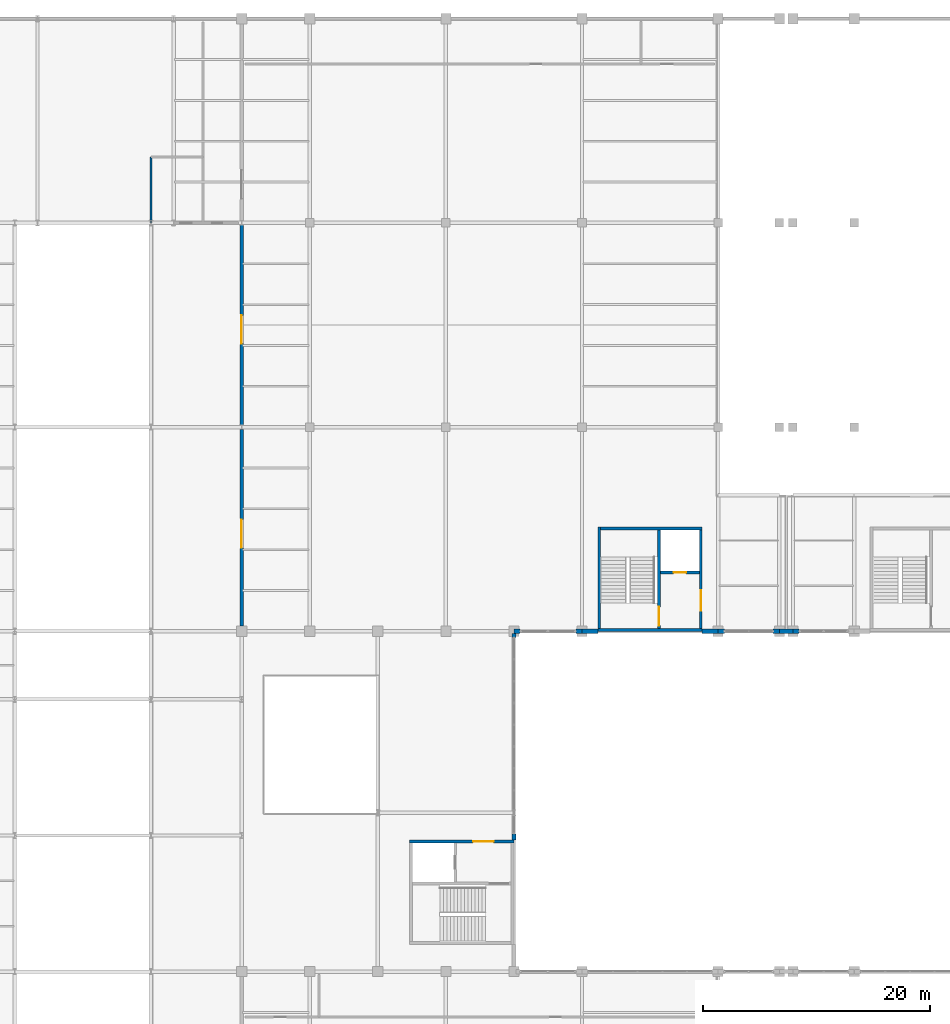
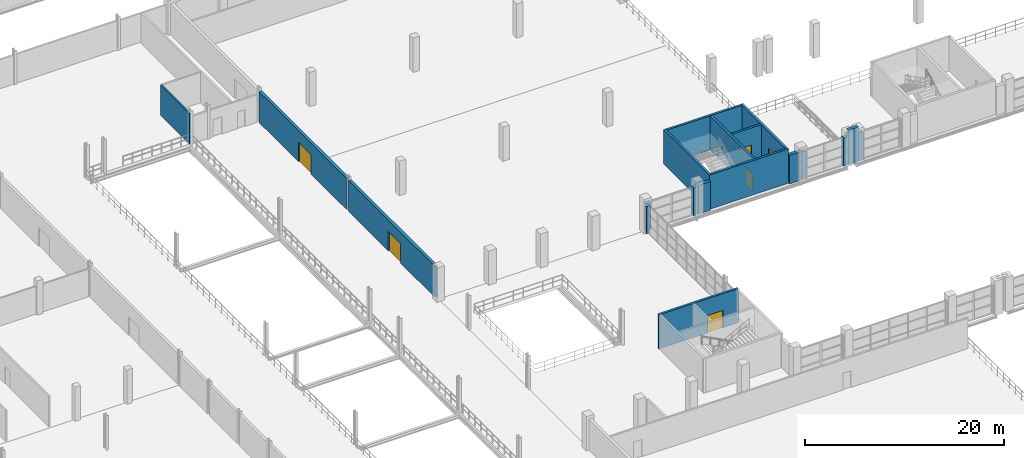
# One storey, part 143 of 158: 20 walls, 6 doors, 6 openings.
"""IFC4 building model written with IfcOpenShell, lengths in metres."""

from ifc_helpers import new_model, si_unit, direction, frame, frame_2d, origin, place, context, subcontext, project, spatial, rectangle, extrude, material, layer, layer_set, type_object, element, fill, save


model = new_model("IFC4")

# Units and contexts
model_context = context("Model", 3, precision=1e-05, world=origin(), true_north=direction((0.0, 1.0)))
body_context = subcontext(model_context, "Body", "Model", "MODEL_VIEW")
ifc_project = project(units=[si_unit("LENGTHUNIT", "METRE"), si_unit("AREAUNIT", "SQUARE_METRE"), si_unit("VOLUMEUNIT", "CUBIC_METRE"), si_unit("PLANEANGLEUNIT", "RADIAN"), si_unit("MASSUNIT", "GRAM", prefix="KILO")], contexts=[model_context])

# Site, building, storey
site_placement = place(None, origin())
site = spatial("IfcSite", under=ifc_project, at=site_placement, CompositionType="ELEMENT")
building_placement = place(site_placement, origin())
building = spatial("IfcBuilding", under=site, at=building_placement, Name="Zilviju Railside Exhibition Hall", CompositionType="ELEMENT")
storey_placement = place(building_placement, frame((0.0, 0.0, 4.199951171875)))
storey = spatial("IfcBuildingStorey", under=building, at=storey_placement, Name="L02", CompositionType="ELEMENT", Elevation=4.199951171875)

# Wall, opening, door
ifc_material_1 = material(Name="Concrete C40/50", Category="concrete")
ifc_layer_1 = layer(ifc_material_1, 0.320068359375)
ifc_layer_set_1 = layer_set([ifc_layer_1], Name="Concrete C40/50")
wall_type_1 = type_object("IfcWallType", Name="WL-COMP-320", PredefinedType="SHEAR", material=ifc_layer_set_1)
wall_1_placement = place(storey_placement, frame((78.0, 84.451904296875, 0.0), z_axis=(0.0, 0.0, 1.0), x_axis=(0.0, 1.0, 0.0)))
wall_1 = element("IfcWall", 1, at=wall_1_placement, inside=storey, type_object=wall_type_1, Name="REI 180 North Hall Compartment Wall L02", PredefinedType="SHEAR", context=body_context, shape_type="SweptSolid", body=[
    extrude(rectangle(XDim=17.34619140625, YDim=0.320068359375, at=frame_2d((8.673095703125, 0.0))), origin(), (0.0, 0.0, 1.0), 3.800048828125),
])
opening_1_placement = place(wall_1_placement, frame((6.89794921875, 0.0, 0.0)))
opening_1 = element("IfcOpeningElement", 2, at=opening_1_placement, cuts=wall_1, Name="Opening FD-04", PredefinedType="OPENING", context=body_context, shape_type="SweptSolid", body=[
    extrude(rectangle(XDim=2.5, YDim=2.39990234375, at=frame_2d((1.25, 1.199951171875))), frame((0.0, 0.169921875, 0.0), z_axis=(0.0, -1.0, 0.0), x_axis=(1.0, 0.0, 0.0)), (0.0, 0.0, 1.0), 0.340087890625),
])
ifc_material_2 = material(Name="Exhibition hall fire compartment double door EI 60", Category="wood")
door_type_1 = type_object("IfcDoorType", Name="DR-COMP-250x240", OperationType="NOTDEFINED", PredefinedType="DOOR", material=ifc_material_2)
door_1_placement = place(opening_1_placement, origin())
door_1 = element("IfcDoor", 3, at=door_1_placement, inside=storey, type_object=door_type_1, Name="North Hall Entry Fire Door L02", OperationType="DOUBLE_DOOR_SINGLE_SWING", OverallHeight=2.39990234375, OverallWidth=2.5, PredefinedType="DOOR", context=body_context, shape_type="SweptSolid", body=[
    extrude(rectangle(XDim=2.5, YDim=2.39990234375, at=frame_2d((1.25, 1.199951171875))), frame((0.0, 0.02490234375, 0.0), z_axis=(0.0, -1.0, 0.0), x_axis=(1.0, 0.0, 0.0)), (0.0, 0.0, 1.0), 0.050048828125),
])
fill(opening_1, door_1)

wall_2_placement = place(storey_placement, frame((78.0, 102.201904296875, 0.0), z_axis=(0.0, 0.0, 1.0), x_axis=(0.0, 1.0, 0.0)))
wall_2 = element("IfcWall", 4, at=wall_2_placement, inside=storey, type_object=wall_type_1, Name="REI 180 North Hall Compartment Wall L02", PredefinedType="SHEAR", context=body_context, shape_type="SweptSolid", body=[
    extrude(rectangle(XDim=17.59619140625, YDim=0.320068359375, at=frame_2d((8.798095703125, 0.0))), origin(), (0.0, 0.0, 1.0), 3.800048828125),
])
opening_2_placement = place(wall_2_placement, frame((7.14794921875, 0.0, 0.0)))
opening_2 = element("IfcOpeningElement", 5, at=opening_2_placement, cuts=wall_2, Name="Opening FD-04", PredefinedType="OPENING", context=body_context, shape_type="SweptSolid", body=[
    extrude(rectangle(XDim=2.5, YDim=2.39990234375, at=frame_2d((1.25, 1.199951171875))), frame((0.0, 0.169921875, 0.0), z_axis=(0.0, -1.0, 0.0), x_axis=(1.0, 0.0, 0.0)), (0.0, 0.0, 1.0), 0.340087890625),
])
door_2_placement = place(opening_2_placement, origin())
door_2 = element("IfcDoor", 6, at=door_2_placement, inside=storey, type_object=door_type_1, Name="North Hall Entry Fire Door L02", OperationType="DOUBLE_DOOR_SINGLE_SWING", OverallHeight=2.39990234375, OverallWidth=2.5, PredefinedType="DOOR", context=body_context, shape_type="SweptSolid", body=[
    extrude(rectangle(XDim=2.5, YDim=2.39990234375, at=frame_2d((1.25, 1.199951171875))), frame((0.0, 0.02490234375, 0.0), z_axis=(0.0, -1.0, 0.0), x_axis=(1.0, 0.0, 0.0)), (0.0, 0.0, 1.0), 0.050048828125),
])
fill(opening_2, door_2)

# Walls
ifc_material_3 = material(Name="Concrete C35/45", Category="concrete")
ifc_layer_2 = layer(ifc_material_3, 0.25)
ifc_layer_set_2 = layer_set([ifc_layer_2], Name="Concrete C35/45")
wall_type_2 = type_object("IfcWallType", Name="WL-CORE-250", PredefinedType="SHEAR", material=ifc_layer_set_2)
wall_3_placement = place(storey_placement, frame((109.52490234375, 84.0, 0.0), z_axis=(0.0, 0.0, 1.0), x_axis=(0.0, 1.0, 0.0)))
element("IfcWall", 7, at=wall_3_placement, inside=storey, type_object=wall_type_2, Name="Core C04 North Hall Court West Stairwell Outer Wall L02", PredefinedType="SHEAR", context=body_context, shape_type="SweptSolid", body=[
    extrude(rectangle(XDim=9.199951171875, YDim=0.25, at=frame_2d((4.60009765625, 0.0))), origin(), (0.0, 0.0, 1.0), 4.199951171875),
])
wall_4_placement = place(storey_placement, frame((109.39990234375, 93.074951171875, 0.0), z_axis=(0.0, 0.0, 1.0), x_axis=(1.0, 0.0, 0.0)))
element("IfcWall", 8, at=wall_4_placement, inside=storey, type_object=wall_type_2, Name="Core C04 North Hall Court West Core Rear Wall L02", PredefinedType="SHEAR", context=body_context, shape_type="SweptSolid", body=[
    extrude(rectangle(XDim=9.2001953125, YDim=0.25, at=frame_2d((4.60009765625, 0.0))), origin(), (0.0, 0.0, 1.0), 4.199951171875),
])

# Wall, opening, door
wall_5_placement = place(storey_placement, frame((118.47509765625, 84.0, 0.0), z_axis=(0.0, 0.0, 1.0), x_axis=(0.0, 1.0, 0.0)))
wall_5 = element("IfcWall", 9, at=wall_5_placement, inside=storey, type_object=wall_type_2, Name="Core C04 North Hall Court West Lobby Side Wall L02", PredefinedType="SHEAR", context=body_context, shape_type="SweptSolid", body=[
    extrude(rectangle(XDim=9.199951171875, YDim=0.25, at=frame_2d((4.60009765625, 0.0))), origin(), (0.0, 0.0, 1.0), 4.199951171875),
])
opening_3_placement = place(wall_5_placement, frame((1.800048828125, 0.0, 0.0)))
opening_3 = element("IfcOpeningElement", 10, at=opening_3_placement, cuts=wall_5, Name="Opening FD-02", PredefinedType="OPENING", context=body_context, shape_type="SweptSolid", body=[
    extrude(rectangle(XDim=1.800048828125, YDim=2.14990234375, at=frame_2d((0.89990234375, 1.074951171875))), frame((0.0, 0.135009765625, 0.0), z_axis=(0.0, -1.0, 0.0), x_axis=(1.0, 0.0, 0.0)), (0.0, 0.0, 1.0), 0.27001953125),
])
ifc_material_4 = material(Name="Self-closing glazed steel core lobby fire door EI 60", Category="steel")
door_type_2 = type_object("IfcDoorType", Name="DR-LOBBY-180x215", OperationType="NOTDEFINED", PredefinedType="DOOR", material=ifc_material_4)
door_3_placement = place(opening_3_placement, origin())
door_3 = element("IfcDoor", 11, at=door_3_placement, inside=storey, type_object=door_type_2, Name="Core C04 North Hall Court West Lobby Fire Door L02", OperationType="DOUBLE_DOOR_SINGLE_SWING", OverallHeight=2.14990234375, OverallWidth=1.800048828125, PredefinedType="DOOR", context=body_context, shape_type="SweptSolid", body=[
    extrude(rectangle(XDim=1.800048828125, YDim=2.14990234375, at=frame_2d((0.89990234375, 1.074951171875))), frame((0.0, 0.02490234375, 0.0), z_axis=(0.0, -1.0, 0.0), x_axis=(1.0, 0.0, 0.0)), (0.0, 0.0, 1.0), 0.050048828125),
])
fill(opening_3, door_3)

wall_6_placement = place(storey_placement, frame((114.77490234375, 84.25, 0.0), z_axis=(0.0, 0.0, 1.0), x_axis=(0.0, 1.0, 0.0)))
wall_6 = element("IfcWall", 12, at=wall_6_placement, inside=storey, type_object=wall_type_2, Name="Core C04 North Hall Court West Stairwell Partition Wall L02", PredefinedType="SHEAR", context=body_context, shape_type="SweptSolid", body=[
    extrude(rectangle(XDim=8.699951171875, YDim=0.25, at=frame_2d((4.35009765625, 0.0))), origin(), (0.0, 0.0, 1.0), 4.199951171875),
])
opening_4_placement = place(wall_6_placement, frame((0.25, 0.0, 0.0)))
opening_4 = element("IfcOpeningElement", 13, at=opening_4_placement, cuts=wall_6, Name="Opening FD-01", PredefinedType="OPENING", context=body_context, shape_type="SweptSolid", body=[
    extrude(rectangle(XDim=1.64990234375, YDim=2.10009765625, at=frame_2d((0.824951171875, 1.050048828125))), frame((0.0, 0.135009765625, 0.0), z_axis=(0.0, -1.0, 0.0), x_axis=(1.0, 0.0, 0.0)), (0.0, 0.0, 1.0), 0.27001953125),
])
ifc_material_5 = material(Name="Self-closing steel stair enclosure fire door EI 60", Category="steel")
door_type_3 = type_object("IfcDoorType", Name="DR-STAIR-165x210", OperationType="NOTDEFINED", PredefinedType="DOOR", material=ifc_material_5)
door_4_placement = place(opening_4_placement, origin())
door_4 = element("IfcDoor", 14, at=door_4_placement, inside=storey, type_object=door_type_3, Name="Core C04 North Hall Court West Protected Stair Door L02", OperationType="SINGLE_SWING_LEFT", OverallHeight=2.10009765625, OverallWidth=1.64990234375, PredefinedType="DOOR", context=body_context, shape_type="SweptSolid", body=[
    extrude(rectangle(XDim=1.64990234375, YDim=2.10009765625, at=frame_2d((0.824951171875, 1.050048828125))), frame((0.0, 0.02490234375, 0.0), z_axis=(0.0, -1.0, 0.0), x_axis=(1.0, 0.0, 0.0)), (0.0, 0.0, 1.0), 0.050048828125),
])
fill(opening_4, door_4)

wall_7_placement = place(storey_placement, frame((114.89990234375, 89.175048828125, 0.0), z_axis=(0.0, 0.0, 1.0), x_axis=(1.0, 0.0, 0.0)))
wall_7 = element("IfcWall", 15, at=wall_7_placement, inside=storey, type_object=wall_type_2, Name="Core C04 North Hall Court West Lift Shaft Front Wall L02", PredefinedType="SHEAR", context=body_context, shape_type="SweptSolid", body=[
    extrude(rectangle(XDim=3.4501953125, YDim=0.25, at=frame_2d((1.72509765625, 0.0))), origin(), (0.0, 0.0, 1.0), 4.199951171875),
])
opening_5_placement = place(wall_7_placement, frame((1.175048828125, 0.0, 0.0)))
opening_5 = element("IfcOpeningElement", 16, at=opening_5_placement, cuts=wall_7, Name="Opening LD-01", PredefinedType="OPENING", context=body_context, shape_type="SweptSolid", body=[
    extrude(rectangle(XDim=1.10009765625, YDim=2.10009765625, at=frame_2d((0.550048828125, 1.050048828125))), frame((0.0, 0.135009765625, 0.0), z_axis=(0.0, -1.0, 0.0), x_axis=(1.0, 0.0, 0.0)), (0.0, 0.0, 1.0), 0.27001953125),
])
ifc_material_6 = material(Name="Passenger lift sliding landing door EI 60", Category="wood")
door_type_4 = type_object("IfcDoorType", Name="DR-LIFT-110x210", OperationType="NOTDEFINED", PredefinedType="DOOR", material=ifc_material_6)
door_5_placement = place(opening_5_placement, origin())
door_5 = element("IfcDoor", 17, at=door_5_placement, inside=storey, type_object=door_type_4, Name="Lift Landing Door LP-02 L02", OperationType="SLIDING_TO_RIGHT", OverallHeight=2.10009765625, OverallWidth=1.10009765625, PredefinedType="DOOR", context=body_context, shape_type="SweptSolid", body=[
    extrude(rectangle(XDim=1.10009765625, YDim=2.10009765625, at=frame_2d((0.550048828125, 1.050048828125))), frame((0.0, 0.02490234375, 0.0), z_axis=(0.0, -1.0, 0.0), x_axis=(1.0, 0.0, 0.0)), (0.0, 0.0, 1.0), 0.050048828125),
])
fill(opening_5, door_5)

wall_8_placement = place(storey_placement, frame((102.0, 65.47509765625, 0.0), z_axis=(0.0, 0.0, 1.0), x_axis=(-1.0, 0.0, 0.0)))
wall_8 = element("IfcWall", 18, at=wall_8_placement, inside=storey, type_object=wall_type_2, Name="Core C10 Winter Concourse Court Lobby Side Wall L02", PredefinedType="SHEAR", context=body_context, shape_type="SweptSolid", body=[
    extrude(rectangle(XDim=9.199951171875, YDim=0.25, at=frame_2d((4.60009765625, 0.0))), origin(), (0.0, 0.0, 1.0), 4.199951171875),
])
opening_6_placement = place(wall_8_placement, frame((1.800048828125, 0.0, 0.0)))
opening_6 = element("IfcOpeningElement", 19, at=opening_6_placement, cuts=wall_8, Name="Opening FD-02", PredefinedType="OPENING", context=body_context, shape_type="SweptSolid", body=[
    extrude(rectangle(XDim=1.800048828125, YDim=2.14990234375, at=frame_2d((0.89990234375, 1.074951171875))), frame((0.0, 0.135009765625, 0.0), z_axis=(0.0, -1.0, 0.0), x_axis=(1.0, 0.0, 0.0)), (0.0, 0.0, 1.0), 0.27001953125),
])
door_6_placement = place(opening_6_placement, origin())
door_6 = element("IfcDoor", 20, at=door_6_placement, inside=storey, type_object=door_type_2, Name="Core C10 Winter Concourse Court Lobby Fire Door L02", OperationType="DOUBLE_DOOR_SINGLE_SWING", OverallHeight=2.14990234375, OverallWidth=1.800048828125, PredefinedType="DOOR", context=body_context, shape_type="SweptSolid", body=[
    extrude(rectangle(XDim=1.800048828125, YDim=2.14990234375, at=frame_2d((0.89990234375, 1.074951171875))), frame((0.0, 0.02490234375, 0.0), z_axis=(0.0, -1.0, 0.0), x_axis=(1.0, 0.0, 0.0)), (0.0, 0.0, 1.0), 0.050048828125),
])
fill(opening_6, door_6)

# Walls
ifc_layer_3 = layer(ifc_material_1, 0.25)
ifc_layer_set_3 = layer_set([ifc_layer_3], Name="Concrete C40/50")
wall_type_3 = type_object("IfcWallType", Name="WL-CORE-300", PredefinedType="SHEAR", material=ifc_layer_set_3)
wall_9_placement = place(storey_placement, frame((118.60009765625, 84.125, 0.0), z_axis=(0.0, 0.0, 1.0), x_axis=(-1.0, 0.0, 0.0)))
element("IfcWall", 21, at=wall_9_placement, inside=storey, type_object=wall_type_3, Name="Core C04 North Hall Court West Exterior Core Wall L02", PredefinedType="SHEAR", context=body_context, shape_type="SweptSolid", body=[
    extrude(rectangle(XDim=9.2001953125, YDim=0.25, at=frame_2d((4.60009765625, 0.0))), origin(), (0.0, 0.0, 1.0), 4.199951171875),
])
ifc_material_7 = material(Name="Insulated cream-brick upper facade wall", Category="masonry")
ifc_layer_4 = layer(ifc_material_7, 0.3798828125)
ifc_layer_set_4 = layer_set([ifc_layer_4], Name="Insulated cream-brick upper facade wall")
wall_type_4 = type_object("IfcWallType", Name="WL-EXT-380", PredefinedType="SOLIDWALL", material=ifc_layer_set_4)
wall_10_placement = place(storey_placement, frame((102.550048828125, 84.0, 0.0), z_axis=(0.0, 0.0, 1.0), x_axis=(-1.0, 0.0, 0.0)))
element("IfcWall", 22, at=wall_10_placement, inside=storey, type_object=wall_type_4, Name="Curtain-Wall Jamb Closure Pier L02 0186", PredefinedType="SOLIDWALL", context=body_context, shape_type="SweptSolid", body=[
    extrude(rectangle(XDim=0.550048828125, YDim=0.3798828125, at=frame_2d((0.27490234375, 0.0))), origin(), (0.0, 0.0, 1.0), 3.449951171875),
])
wall_11_placement = place(storey_placement, frame((107.998046875, 84.0, 0.0), z_axis=(0.0, 0.0, 1.0), x_axis=(-1.0, 0.0, 0.0)))
element("IfcWall", 23, at=wall_11_placement, inside=storey, type_object=wall_type_4, Name="Curtain-Wall Jamb Closure Pier L02 0187", PredefinedType="SOLIDWALL", context=body_context, shape_type="SweptSolid", body=[
    extrude(rectangle(XDim=0.548095703125, YDim=0.3798828125, at=frame_2d((0.27392578125, 0.0))), origin(), (0.0, 0.0, 1.0), 3.449951171875),
])
for number, where, z_axis, x_axis, name in (
    (24, (109.39990234375, 84.0, 0.0), (0.0, 0.0, 1.0), (-1.0, 0.0, 0.0), "Exterior Facade Wall L02 South 0188"),
    (25, (120.0, 84.0, 0.0), (0.0, 0.0, 1.0), (-1.0, 0.0, 0.0), "Exterior Facade Wall L02 South 0189"),
):
    element("IfcWall", number, at=place(storey_placement, frame(where, z_axis=z_axis, x_axis=x_axis)), inside=storey, type_object=wall_type_4, Name=name, PredefinedType="SOLIDWALL", context=body_context, shape_type="SweptSolid", body=[
        extrude(rectangle(XDim=1.39990234375, YDim=0.3798828125, at=frame_2d((0.699951171875, 0.0))), origin(), (0.0, 0.0, 1.0), 3.530029296875),
    ])
wall_12_placement = place(storey_placement, frame((120.550048828125, 84.0, 0.0), z_axis=(0.0, 0.0, 1.0), x_axis=(-1.0, 0.0, 0.0)))
element("IfcWall", 26, at=wall_12_placement, inside=storey, type_object=wall_type_4, Name="Curtain-Wall Jamb Closure Pier L02 0190", PredefinedType="SOLIDWALL", context=body_context, shape_type="SweptSolid", body=[
    extrude(rectangle(XDim=0.548095703125, YDim=0.3798828125, at=frame_2d((0.27392578125, 0.0))), origin(), (0.0, 0.0, 1.0), 3.449951171875),
])
for number, where, z_axis, x_axis, name in (
    (27, (125.39794921875, 84.0, 0.0), (0.0, 0.0, 1.0), (-1.0, 0.0, 0.0), "Curtain-Wall Jamb Closure Pier L02 0191"),
    (28, (127.14990234375, 84.0, 0.0), (0.0, 0.0, 1.0), (-1.0, 0.0, 0.0), "Curtain-Wall Jamb Closure Pier L02 0192"),
):
    element("IfcWall", number, at=place(storey_placement, frame(where, z_axis=z_axis, x_axis=x_axis)), inside=storey, type_object=wall_type_4, Name=name, PredefinedType="SOLIDWALL", context=body_context, shape_type="SweptSolid", body=[
        extrude(rectangle(XDim=0.5478515625, YDim=0.3798828125, at=frame_2d((0.27392578125, 0.0))), origin(), (0.0, 0.0, 1.0), 3.449951171875),
    ])
wall_13_placement = place(storey_placement, frame((102.0, 66.14990234375, 0.0), z_axis=(0.0, 0.0, 1.0), x_axis=(0.0, -1.0, 0.0)))
element("IfcWall", 29, at=wall_13_placement, inside=storey, type_object=wall_type_4, Name="Curtain-Wall Jamb Closure Pier L02 0406", PredefinedType="SOLIDWALL", context=body_context, shape_type="SweptSolid", body=[
    extrude(rectangle(XDim=0.5478515625, YDim=0.3798828125, at=frame_2d((0.27392578125, 0.0))), origin(), (0.0, 0.0, 1.0), 3.5),
])
wall_14_placement = place(storey_placement, frame((102.0, 83.80810546875, 0.0), z_axis=(0.0, 0.0, 1.0), x_axis=(0.0, -1.0, 0.0)))
element("IfcWall", 30, at=wall_14_placement, inside=storey, type_object=wall_type_4, Name="Curtain-Wall Jamb Closure Pier L02 0407", PredefinedType="SOLIDWALL", context=body_context, shape_type="SweptSolid", body=[
    extrude(rectangle(XDim=0.358154296875, YDim=0.3798828125, at=frame_2d((0.17919921875, 0.0))), origin(), (0.0, 0.0, 1.0), 3.320068359375),
])
wall_15_placement = place(storey_placement, frame((126.60009765625, 84.0, 0.0), z_axis=(0.0, 0.0, 1.0), x_axis=(-1.0, 0.0, 0.0)))
element("IfcWall", 31, at=wall_15_placement, inside=storey, type_object=wall_type_4, Name="Exterior Facade Wall L02 South 0591", PredefinedType="SOLIDWALL", context=body_context, shape_type="SweptSolid", body=[
    extrude(rectangle(XDim=1.2001953125, YDim=0.3798828125, at=frame_2d((0.60009765625, 0.0))), origin(), (0.0, 0.0, 1.0), 4.199951171875),
])
ifc_material_8 = material(Name="Accessible WC sanitary chase wall", Category="masonry")
ifc_layer_5 = layer(ifc_material_8, 0.18994140625)
ifc_layer_set_5 = layer_set([ifc_layer_5], Name="Accessible WC sanitary chase wall")
wall_type_5 = type_object("IfcWallType", Name="WL-PLMB-190", PredefinedType="PLUMBINGWALL", material=ifc_layer_set_5)
wall_16_placement = place(storey_placement, frame((70.0, 120.0, 0.0), z_axis=(0.0, 0.0, 1.0), x_axis=(0.0, 1.0, 0.0)))
element("IfcWall", 32, at=wall_16_placement, inside=storey, type_object=wall_type_5, Name="Concourse L02 WC West Wall", PredefinedType="PLUMBINGWALL", context=body_context, shape_type="SweptSolid", body=[
    extrude(rectangle(XDim=5.800048828125, YDim=0.18994140625, at=frame_2d((2.89990234375, 0.0))), origin(), (0.0, 0.0, 1.0), 3.719970703125),
])

save(model, "model.ifc")
